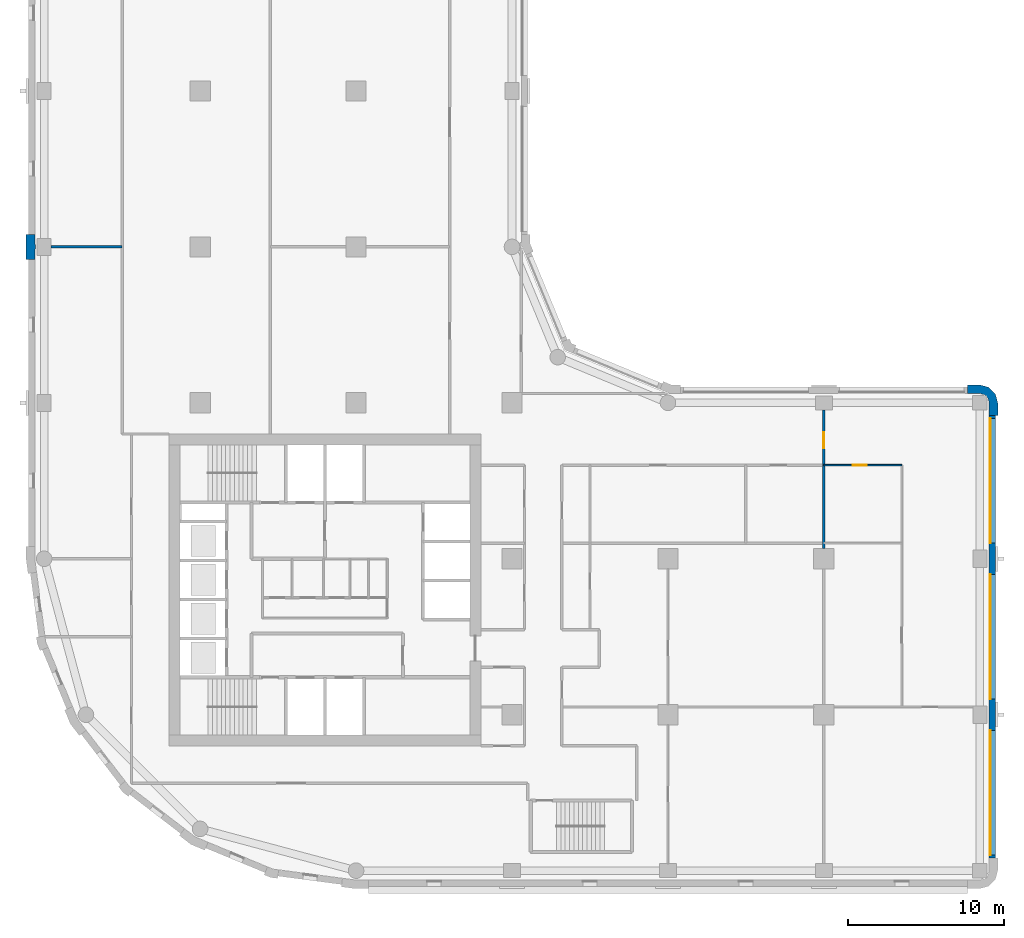
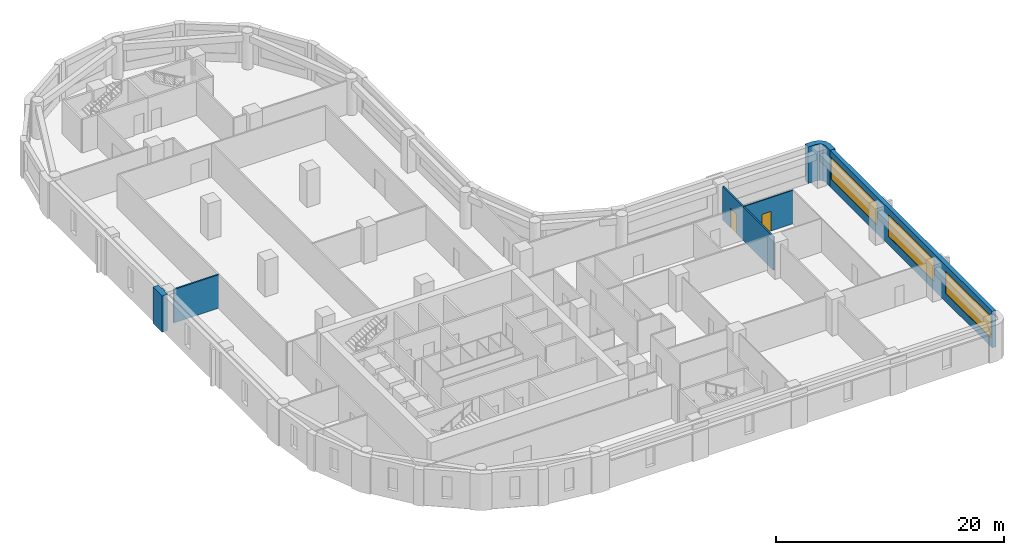
# One storey, part 5 of 10: 6 walls, 3 windows, 2 doors, 5 openings.
"""IFC4 building model written with IfcOpenShell, lengths in metres."""

from ifc_helpers import new_model, si_unit, direction, frame, frame_2d, origin, place, context, subcontext, project, spatial, polyline, rectangle, outline, extrude, material, layer, layer_set, type_object, element, fill, save


model = new_model("IFC4")

# Units and contexts
model_context = context("Model", 3, precision=1e-05, world=origin(), true_north=direction((0.0, 1.0)))
body_context = subcontext(model_context, "Body", "Model", "MODEL_VIEW")
ifc_project = project(units=[si_unit("LENGTHUNIT", "METRE"), si_unit("AREAUNIT", "SQUARE_METRE"), si_unit("VOLUMEUNIT", "CUBIC_METRE"), si_unit("PLANEANGLEUNIT", "RADIAN"), si_unit("MASSUNIT", "GRAM", prefix="KILO")], contexts=[model_context])

# Site, building, storey
site_placement = place(None, origin())
site = spatial("IfcSite", under=ifc_project, at=site_placement, CompositionType="ELEMENT")
building_placement = place(site_placement, origin())
building = spatial("IfcBuilding", under=site, at=building_placement, Name="Qaws Garden Tower", CompositionType="ELEMENT")
storey_placement = place(building_placement, frame((0.0, 0.0, 182.39990234375)))
storey = spatial("IfcBuildingStorey", under=building, at=storey_placement, Name="L44", CompositionType="ELEMENT", Elevation=182.39990234375)

# Wall
ifc_material_1 = material(Name="Clay facing brick masonry", Category="masonry")
ifc_layer_1 = layer(ifc_material_1, 0.550048828125)
ifc_layer_set_1 = layer_set([ifc_layer_1], Name="Clay facing brick masonry")
wall_type_1 = type_object("IfcWallType", Name="Brick corner pier 550 x 2400", PredefinedType="SOLIDWALL", material=ifc_layer_set_1)
placement = place(storey_placement, origin())
element("IfcWall", 1, at=placement, inside=storey, type_object=wall_type_1, Name="E-L44-pier-07", PredefinedType="SOLIDWALL", context=body_context, shape_type="SweptSolid", body=[
    extrude(outline(polyline([(61.0, 29.199951171875), (61.14990234375, 29.199951171875), (61.14990234375, 30.0), (60.995849609375, 30.574951171875), (60.574951171875, 30.995849609375), (60.0, 31.14990234375), (59.199951171875, 31.14990234375), (59.199951171875, 31.0), (59.199951171875, 30.60009765625), (60.0, 30.60009765625), (60.300048828125, 30.51953125), (60.51953125, 30.300048828125), (60.60009765625, 30.0), (60.60009765625, 29.199951171875), (61.0, 29.199951171875)])), origin(), (0.0, 0.0, 1.0), 3.900146484375),
])

# Wall, openings, windows
ifc_material_2 = material(Name="Clay facing brick masonry", Category="masonry")
ifc_layer_2 = layer(ifc_material_2, 0.39990234375)
ifc_layer_set_2 = layer_set([ifc_layer_2], Name="Clay facing brick masonry")
wall_type_2 = type_object("IfcWallType", Name="Brick infill wall 400", PredefinedType="SOLIDWALL", material=ifc_layer_set_2)
wall_2_placement = place(storey_placement, frame((60.800048828125, 0.800048828125, 0.0), z_axis=(0.0, 0.0, 1.0), x_axis=(0.0, 1.0, 0.0)))
wall_2 = element("IfcWall", 2, at=wall_2_placement, inside=storey, type_object=wall_type_2, Name="E-L44-infill-04", PredefinedType="SOLIDWALL", context=body_context, shape_type="SweptSolid", body=[
    extrude(rectangle(XDim=28.39990234375, YDim=0.39990234375, at=frame_2d((14.199951171875, 0.0))), origin(), (0.0, 0.0, 1.0), 3.900146484375),
])
opening_1_placement = place(wall_2_placement, frame((0.199951171875, 0.0, 0.89990234375)))
opening_1 = element("IfcOpeningElement", 3, at=opening_1_placement, cuts=wall_2, Name="Opening W01", PredefinedType="OPENING", context=body_context, shape_type="SweptSolid", body=[
    extrude(rectangle(XDim=8.0, YDim=2.35009765625, at=frame_2d((4.0, 1.175048828125))), frame((0.0, 0.2099609375, 0.0), z_axis=(0.0, -1.0, 0.0), x_axis=(1.0, 0.0, 0.0)), (0.0, 0.0, 1.0), 0.419921875),
])
opening_2_placement = place(wall_2_placement, frame((10.199951171875, 0.0, 0.89990234375)))
opening_2 = element("IfcOpeningElement", 4, at=opening_2_placement, cuts=wall_2, Name="Opening W01", PredefinedType="OPENING", context=body_context, shape_type="SweptSolid", body=[
    extrude(rectangle(XDim=8.0, YDim=2.35009765625, at=frame_2d((4.0, 1.175048828125))), frame((0.0, 0.2099609375, 0.0), z_axis=(0.0, -1.0, 0.0), x_axis=(1.0, 0.0, 0.0)), (0.0, 0.0, 1.0), 0.419921875),
])
opening_3_placement = place(wall_2_placement, frame((20.199951171875, 0.0, 0.89990234375)))
opening_3 = element("IfcOpeningElement", 5, at=opening_3_placement, cuts=wall_2, Name="Opening W01", PredefinedType="OPENING", context=body_context, shape_type="SweptSolid", body=[
    extrude(rectangle(XDim=8.0, YDim=2.35009765625, at=frame_2d((4.0, 1.175048828125))), frame((0.0, 0.2099609375, 0.0), z_axis=(0.0, -1.0, 0.0), x_axis=(1.0, 0.0, 0.0)), (0.0, 0.0, 1.0), 0.419921875),
])
ifc_material_3 = material(Name="Aluminium framed window, clear glazing", Category="aluminium")
window_type = type_object("IfcWindowType", Name="Ribbon window 8000 x 2350", PartitioningType="DOUBLE_PANEL_VERTICAL", PredefinedType="WINDOW", material=ifc_material_3)
window_1_placement = place(opening_1_placement, origin())
window_1 = element("IfcWindow", 6, at=window_1_placement, inside=storey, type_object=window_type, Name="E-L44-window-04-0", OverallHeight=2.35009765625, OverallWidth=8.0, PartitioningType="SINGLE_PANEL", PredefinedType="WINDOW", context=body_context, shape_type="SweptSolid", body=[
    extrude(rectangle(XDim=8.0, YDim=2.35009765625, at=frame_2d((4.0, 1.175048828125))), frame((0.0, 0.159912109375, 0.0), z_axis=(0.0, -1.0, 0.0), x_axis=(1.0, 0.0, 0.0)), (0.0, 0.0, 1.0), 0.06005859375),
])
fill(opening_1, window_1)
window_2_placement = place(opening_2_placement, origin())
window_2 = element("IfcWindow", 7, at=window_2_placement, inside=storey, type_object=window_type, Name="E-L44-window-05-0", OverallHeight=2.35009765625, OverallWidth=8.0, PartitioningType="SINGLE_PANEL", PredefinedType="WINDOW", context=body_context, shape_type="SweptSolid", body=[
    extrude(rectangle(XDim=8.0, YDim=2.35009765625, at=frame_2d((4.0, 1.175048828125))), frame((0.0, 0.159912109375, 0.0), z_axis=(0.0, -1.0, 0.0), x_axis=(1.0, 0.0, 0.0)), (0.0, 0.0, 1.0), 0.06005859375),
])
fill(opening_2, window_2)
window_3_placement = place(opening_3_placement, origin())
window_3 = element("IfcWindow", 8, at=window_3_placement, inside=storey, type_object=window_type, Name="E-L44-window-06-0", OverallHeight=2.35009765625, OverallWidth=8.0, PartitioningType="SINGLE_PANEL", PredefinedType="WINDOW", context=body_context, shape_type="SweptSolid", body=[
    extrude(rectangle(XDim=8.0, YDim=2.35009765625, at=frame_2d((4.0, 1.175048828125))), frame((0.0, 0.159912109375, 0.0), z_axis=(0.0, -1.0, 0.0), x_axis=(1.0, 0.0, 0.0)), (0.0, 0.0, 1.0), 0.06005859375),
])
fill(opening_3, window_3)

# Wall
ifc_material_4 = material(Name="Clay facing brick masonry", Category="masonry")
ifc_layer_3 = layer(ifc_material_4, 0.550048828125)
ifc_layer_set_3 = layer_set([ifc_layer_3], Name="Clay facing brick masonry")
wall_type_3 = type_object("IfcWallType", Name="Brick pier 550 x 1600", PredefinedType="SOLIDWALL", material=ifc_layer_set_3)
element("IfcWall", 9, at=placement, inside=storey, type_object=wall_type_3, Name="E-L44-pier-23", PredefinedType="SOLIDWALL", context=body_context, shape_type="SweptSolid", body=[
    extrude(outline(polyline([(-0.60009765625, 39.199951171875), (-0.60009765625, 39.85009765625), (-0.550048828125, 39.85009765625), (-0.550048828125, 40.14990234375), (-0.60009765625, 40.14990234375), (-0.60009765625, 40.800048828125), (-1.0, 40.800048828125), (-1.14990234375, 40.800048828125), (-1.14990234375, 40.0), (-1.14990234375, 39.199951171875), (-1.0, 39.199951171875), (-0.60009765625, 39.199951171875)])), origin(), (0.0, 0.0, 1.0), 3.900146484375),
])

# Wall, opening, door
ifc_material_5 = material(Name="Gypsum board partition")
ifc_layer_4 = layer(ifc_material_5, 0.10009765625)
ifc_layer_set_4 = layer_set([ifc_layer_4], Name="Gypsum board partition")
wall_type_4 = type_object("IfcWallType", Name="PARTITION 100", PredefinedType="PARTITIONING", material=ifc_layer_set_4)
wall_4_placement = place(storey_placement, frame((50.0, 26.0, 0.0), z_axis=(0.0, 0.0, 1.0), x_axis=(1.0, 0.0, 0.0)))
wall_4 = element("IfcWall", 10, at=wall_4_placement, inside=storey, type_object=wall_type_4, Name="O-L44-wall-007", PredefinedType="PARTITIONING", context=body_context, shape_type="SweptSolid", body=[
    extrude(rectangle(XDim=5.0, YDim=0.10009765625, at=frame_2d((2.5, 0.0))), origin(), (0.0, 0.0, 1.0), 3.580078125),
])
opening_4_placement = place(wall_4_placement, frame((1.85009765625, 0.0, 0.0)))
opening_4 = element("IfcOpeningElement", 11, at=opening_4_placement, cuts=wall_4, Name="Opening B524", PredefinedType="OPENING", context=body_context, shape_type="SweptSolid", body=[
    extrude(rectangle(XDim=0.89990234375, YDim=2.10009765625, at=frame_2d((0.449951171875, 1.050048828125))), frame((0.0, 0.06005859375, 0.0), z_axis=(0.0, -1.0, 0.0), x_axis=(1.0, 0.0, 0.0)), (0.0, 0.0, 1.0), 0.1201171875),
])
ifc_material_6 = material(Name="Timber door leaf", Category="wood")
door_type_1 = type_object("IfcDoorType", Name="OFFICE DOOR 900 X 2100", OperationType="SINGLE_SWING_LEFT", PredefinedType="DOOR", material=ifc_material_6)
door_1_placement = place(opening_4_placement, frame((0.89990234375, 0.0, 0.0), z_axis=(0.0, 0.0, 1.0), x_axis=(-1.0, 0.0, 0.0)))
door_1 = element("IfcDoor", 12, at=door_1_placement, inside=storey, type_object=door_type_1, Name="O-L44-door-024", OperationType="SINGLE_SWING_RIGHT", OverallHeight=2.10009765625, OverallWidth=0.89990234375, PredefinedType="DOOR", context=body_context, shape_type="SweptSolid", body=[
    extrude(rectangle(XDim=0.89990234375, YDim=2.10009765625, at=frame_2d((0.449951171875, 1.050048828125))), frame((0.0, 0.02490234375, 0.0), z_axis=(0.0, -1.0, 0.0), x_axis=(1.0, 0.0, 0.0)), (0.0, 0.0, 1.0), 0.050048828125),
])
fill(opening_4, door_1)

ifc_material_7 = material(Name="Gypsum board partition")
ifc_layer_5 = layer(ifc_material_7, 0.14990234375)
ifc_layer_set_5 = layer_set([ifc_layer_5], Name="Gypsum board partition")
wall_type_5 = type_object("IfcWallType", Name="PARTITION 150 EI 60", PredefinedType="PARTITIONING", material=ifc_layer_set_5)
wall_5_placement = place(storey_placement, frame((50.0, 20.64990234375, 0.0), z_axis=(0.0, 0.0, 1.0), x_axis=(0.0, 1.0, 0.0)))
wall_5 = element("IfcWall", 13, at=wall_5_placement, inside=storey, type_object=wall_type_5, Name="O-L44-wall-027", PredefinedType="PARTITIONING", context=body_context, shape_type="SweptSolid", body=[
    extrude(rectangle(XDim=8.900146484375, YDim=0.14990234375, at=frame_2d((4.4501953125, 0.0))), origin(), (0.0, 0.0, 1.0), 3.580078125),
])
opening_5_placement = place(wall_5_placement, frame((6.449951171875, 0.0, 0.0)))
opening_5 = element("IfcOpeningElement", 14, at=opening_5_placement, cuts=wall_5, Name="Opening B505", PredefinedType="OPENING", context=body_context, shape_type="SweptSolid", body=[
    extrude(rectangle(XDim=1.0, YDim=2.10009765625, at=frame_2d((0.5, 1.050048828125))), frame((0.0, 0.0849609375, 0.0), z_axis=(0.0, -1.0, 0.0), x_axis=(1.0, 0.0, 0.0)), (0.0, 0.0, 1.0), 0.169921875),
])
ifc_material_8 = material(Name="Timber door leaf", Category="wood")
door_type_2 = type_object("IfcDoorType", Name="TENANCY ENTRANCE DOOR 1000 X 2100", OperationType="SINGLE_SWING_LEFT", PredefinedType="DOOR", material=ifc_material_8)
door_2_placement = place(opening_5_placement, frame((1.0, 0.0, 0.0), z_axis=(0.0, 0.0, 1.0), x_axis=(-1.0, 0.0, 0.0)))
door_2 = element("IfcDoor", 15, at=door_2_placement, inside=storey, type_object=door_type_2, Name="O-L44-door-005", OperationType="SINGLE_SWING_RIGHT", OverallHeight=2.10009765625, OverallWidth=1.0, PredefinedType="DOOR", context=body_context, shape_type="SweptSolid", body=[
    extrude(rectangle(XDim=1.0, YDim=2.10009765625, at=frame_2d((0.5, 1.050048828125))), frame((0.0, 0.02490234375, 0.0), z_axis=(0.0, -1.0, 0.0), x_axis=(1.0, 0.0, 0.0)), (0.0, 0.0, 1.0), 0.050048828125),
])
fill(opening_5, door_2)

# Wall
wall_6_placement = place(storey_placement, frame((0.449951171875, 40.0, 0.0), z_axis=(0.0, 0.0, 1.0), x_axis=(1.0, 0.0, 0.0)))
element("IfcWall", 16, at=wall_6_placement, inside=storey, type_object=wall_type_5, Name="O-L44-wall-046", PredefinedType="PARTITIONING", context=body_context, shape_type="SweptSolid", body=[
    extrude(rectangle(XDim=4.550048828125, YDim=0.14990234375, at=frame_2d((2.27490234375, 0.0))), origin(), (0.0, 0.0, 1.0), 3.580078125),
])

save(model, "model.ifc")
